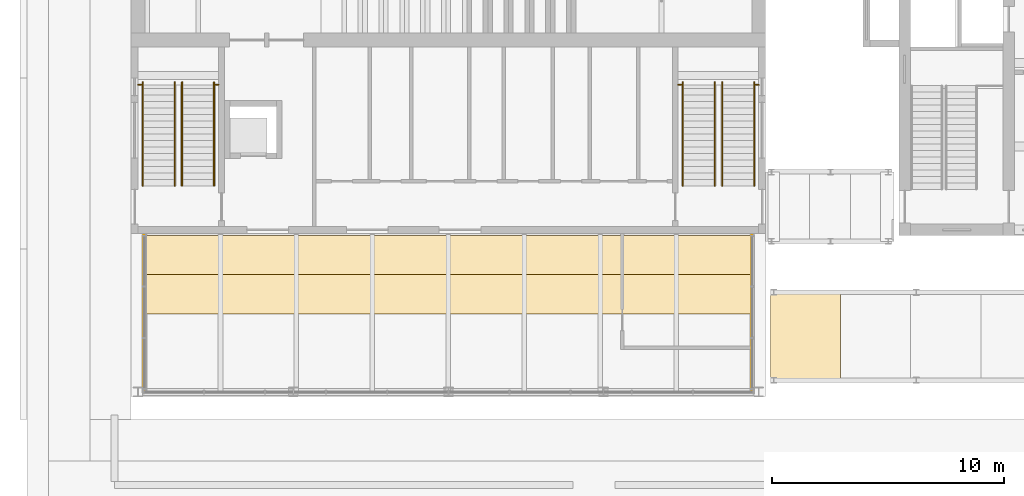
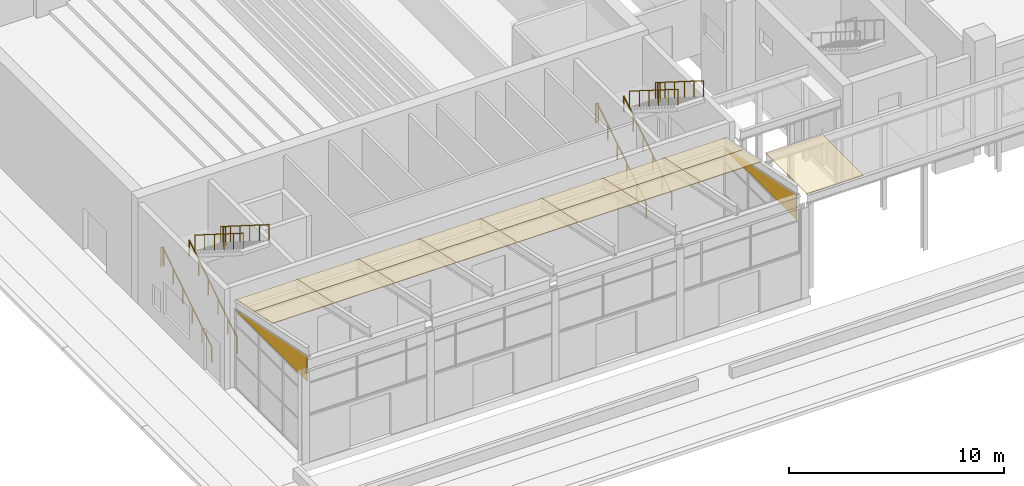
# One storey, part 65 of 71: 19 coverings, 12 railings.
"""IFC4 building model written with IfcOpenShell, lengths in metres."""

import ifcopenshell
import ifcopenshell.guid

model = None  # the IFC model being written
_history = None  # IfcOwnerHistory: only IFC2X3 demands one
_inside = {}  # id of a spatial element -> (the spatial element, [elements in it])
_under = {}  # id of a project, library or spatial element -> (it, [spatial elements below it])
_declared = {}  # id of a project -> (the project, [libraries it declares])
_typed = {}  # id of a type object -> (the type object, [elements of that type])
_made_of = {}  # id of a material, layer set ... -> (it, [elements and type objects made of it])


def new_model(schema):
    """Start an empty IFC model of exactly this schema.

    Asked for "IFC4X3", IfcOpenShell would pick the latest addendum, in which some entities
    have other attributes; the version numbers below select the first issue.
    IFC2X3 requires an IfcOwnerHistory on every rooted entity: one is made here for all.
    """
    global model, _history
    if schema == "IFC4X3":
        model = ifcopenshell.file(schema_version=(4, 3, 0, 0))
    else:
        model = ifcopenshell.file(schema=schema)
    _inside.clear()
    _under.clear()
    _declared.clear()
    _typed.clear()
    _made_of.clear()
    _history = None
    if model.schema == "IFC2X3":
        org = make("IfcOrganization", Name="unknown")
        user = make(
            "IfcPersonAndOrganization",
            ThePerson=make("IfcPerson", FamilyName="unknown"),
            TheOrganization=org,
        )
        app = make(
            "IfcApplication",
            ApplicationDeveloper=org,
            Version="unknown",
            ApplicationFullName="unknown",
            ApplicationIdentifier="unknown",
        )
        _history = make(
            "IfcOwnerHistory",
            OwningUser=user,
            OwningApplication=app,
            ChangeAction="ADDED",
            CreationDate=0,
        )
    return model


def make(cls, **values):
    """One entity of the class cls with the attributes given. An attribute that is None is left unset."""
    return model.create_entity(
        cls, **{name: value for name, value in values.items() if value is not None}
    )


def rooted(cls, **values):
    """An entity with a GlobalId (a new one), such as an element, a storey or a relation."""
    return make(cls, GlobalId=ifcopenshell.guid.new(), OwnerHistory=_history, **values)


def si_unit(unit_type, name, prefix=None):
    """IfcSIUnit, for example si_unit("LENGTHUNIT", "METRE", prefix="MILLI")."""
    return make("IfcSIUnit", UnitType=unit_type, Prefix=prefix, Name=name)


def assignment(units):
    """IfcUnitAssignment: the units of a project."""
    return None if units is None else make("IfcUnitAssignment", Units=units)


def point(xyz):
    """IfcCartesianPoint."""
    return None if xyz is None else make("IfcCartesianPoint", Coordinates=xyz)


def direction(xyz):
    """IfcDirection."""
    return None if xyz is None else make("IfcDirection", DirectionRatios=xyz)


def frame(location, z_axis=None, x_axis=None):
    """IfcAxis2Placement3D, a coordinate frame: its origin and axes. An axis left out is left unset."""
    return make(
        "IfcAxis2Placement3D",
        Location=point(location),
        Axis=direction(z_axis),
        RefDirection=direction(x_axis),
    )


def frame_2d(location, x_axis=None):
    """IfcAxis2Placement2D, a coordinate frame in the plane: its origin and x axis."""
    return make(
        "IfcAxis2Placement2D", Location=point(location), RefDirection=direction(x_axis)
    )


def origin():
    """The frame at (0, 0, 0) with its axes left unset."""
    return frame((0.0, 0.0, 0.0))


def origin_2d():
    """The frame at (0, 0) in the plane with its x axis left unset."""
    return frame_2d((0.0, 0.0))


def place(relative_to, where):
    """IfcLocalPlacement: puts the frame where relative to a parent placement (None: the world)."""
    return make(
        "IfcLocalPlacement", PlacementRelTo=relative_to, RelativePlacement=where
    )


def context(
    kind, dimensions, precision=None, world=None, true_north=None, identifier=None
):
    """IfcGeometricRepresentationContext, for example the 3D "Model" context."""
    return make(
        "IfcGeometricRepresentationContext",
        ContextIdentifier=identifier,
        ContextType=kind,
        CoordinateSpaceDimension=dimensions,
        Precision=precision,
        WorldCoordinateSystem=world,
        TrueNorth=true_north,
    )


def subcontext(parent, identifier, kind, view, scale=None):
    """IfcGeometricRepresentationSubContext, for example "Body" below "Model"."""
    return make(
        "IfcGeometricRepresentationSubContext",
        ContextIdentifier=identifier,
        ContextType=kind,
        ParentContext=parent,
        TargetScale=scale,
        TargetView=view,
    )


def project(units=None, contexts=None):
    """IfcProject with its units and contexts."""
    return rooted(
        "IfcProject",
        Name="project",
        RepresentationContexts=contexts,
        UnitsInContext=assignment(units),
    )


def spatial(cls, under=None, at=None, **own):
    """A site, building, storey or space (cls), placed at a placement, below another one or the project."""
    s = rooted(cls, ObjectPlacement=at, **own)
    if under is not None:
        _under.setdefault(under.id(), (under, []))[1].append(s)
    return s


def polyline(points):
    """IfcPolyline through the points."""
    return make("IfcPolyline", Points=[point(p) for p in points])


def profile(cls, at=None, kind="AREA", **sizes):
    """A parametric profile (cls). Its sizes go by their IFC names, for example OverallWidth=200.0."""
    return make(cls, ProfileType=kind, Position=at, **sizes)


def circle(**sizes):
    """IfcCircleProfileDef."""
    return profile("IfcCircleProfileDef", **sizes)


def outline(outer, holes=None, kind="AREA"):
    """IfcArbitraryClosedProfileDef: a profile drawn as a closed curve; with holes, ...WithVoids."""
    if holes is None:
        return make("IfcArbitraryClosedProfileDef", ProfileType=kind, OuterCurve=outer)
    return make(
        "IfcArbitraryProfileDefWithVoids",
        ProfileType=kind,
        OuterCurve=outer,
        InnerCurves=holes,
    )


def extrude(swept, where, along, depth):
    """IfcExtrudedAreaSolid: the profile swept, set in the frame where, extruded along a direction by depth."""
    return make(
        "IfcExtrudedAreaSolid",
        SweptArea=swept,
        Position=where,
        ExtrudedDirection=direction(along),
        Depth=depth,
    )


def shape(context_of_items, identifier, shape_type, items):
    """IfcShapeRepresentation: the items that make up one representation, for example the "Body"."""
    return make(
        "IfcShapeRepresentation",
        ContextOfItems=context_of_items,
        RepresentationIdentifier=identifier,
        RepresentationType=shape_type,
        Items=items,
    )


def material(Name=None, Category=None):
    """IfcMaterial."""
    return make("IfcMaterial", Name=Name, Category=Category)


def layer(
    of_material, thickness, ventilated=None, Name=None, Category=None, Priority=None
):
    """IfcMaterialLayer: one layer of a wall or slab, of a material (None: an air gap)."""
    return make(
        "IfcMaterialLayer",
        Material=of_material,
        LayerThickness=thickness,
        IsVentilated=ventilated,
        Name=Name,
        Category=Category,
        Priority=Priority,
    )


def layer_set(layers, Name=None):
    """IfcMaterialLayerSet."""
    return make("IfcMaterialLayerSet", MaterialLayers=layers, LayerSetName=Name)


def made_of(thing, what):
    """Note that an element or type object is made of a material, layer set ...; save() writes the relation."""
    if what is not None:
        _made_of.setdefault(what.id(), (what, []))[1].append(thing)
    return thing


def type_object(cls, material=None, **own):
    """A type object (cls), such as IfcWallType, which elements share."""
    return made_of(rooted(cls, **own), material)


def element(
    cls,
    number,
    at=None,
    inside=None,
    cuts=None,
    type_object=None,
    material=None,
    context=None,
    identifier="Body",
    shape_type=None,
    held_by="IfcProductDefinitionShape",
    body=None,
    shapes=None,
    **own,
):
    """One element of the class cls, such as IfcWall. Its Tag is "e" and its number.

    at: its placement. inside: the storey or other place that contains it. cuts: it is an
    opening in that element (IfcRelVoidsElement). A single representation is given by context,
    identifier, shape_type and body (its items); several are given by shapes. held_by: the class
    of the entity that holds the representations. save() writes the other relations.
    """
    e = rooted(cls, Tag="e%d" % number, ObjectPlacement=at, **own)
    if body is not None:
        shapes = [shape(context, identifier, shape_type, body)]
    if shapes is not None:
        e.Representation = make(held_by, Representations=shapes)
    if inside is not None:
        _inside.setdefault(inside.id(), (inside, []))[1].append(e)
    if cuts is not None:
        rooted(
            "IfcRelVoidsElement", RelatingBuildingElement=cuts, RelatedOpeningElement=e
        )
    if type_object is not None:
        _typed.setdefault(type_object.id(), (type_object, []))[1].append(e)
    return made_of(e, material)


def aggregate(whole, parts):
    """IfcRelAggregates: a whole, such as a stair, and the parts it consists of."""
    return rooted("IfcRelAggregates", RelatingObject=whole, RelatedObjects=parts)


def save(model, path):
    """Write the relations noted so far, then the file.

    IfcRelAggregates (storeys below a building ...), IfcRelContainedInSpatialStructure (elements
    in a storey), IfcRelDefinesByType, IfcRelAssociatesMaterial and IfcRelDeclares: one each for
    every whole, place, type object, material and project.
    """
    for whole, parts in _under.values():
        aggregate(whole, parts)
    for where, things in _inside.values():
        rooted(
            "IfcRelContainedInSpatialStructure",
            RelatedElements=things,
            RelatingStructure=where,
        )
    for kind, things in _typed.values():
        rooted("IfcRelDefinesByType", RelatedObjects=things, RelatingType=kind)
    for what, things in _made_of.values():
        rooted("IfcRelAssociatesMaterial", RelatedObjects=things, RelatingMaterial=what)
    for by, libraries in _declared.values():
        rooted("IfcRelDeclares", RelatingContext=by, RelatedDefinitions=libraries)
    model.write(path)


model = new_model("IFC4")

# Units and contexts
model_context = context("Model", 3, precision=1e-05, world=origin(), true_north=direction((0.0, 1.0)))
body_context = subcontext(model_context, "Body", "Model", "MODEL_VIEW")
ifc_project = project(units=[si_unit("LENGTHUNIT", "METRE"), si_unit("AREAUNIT", "SQUARE_METRE"), si_unit("VOLUMEUNIT", "CUBIC_METRE"), si_unit("PLANEANGLEUNIT", "RADIAN"), si_unit("MASSUNIT", "GRAM", prefix="KILO")], contexts=[model_context])

# Site, building, storey
site_placement = place(None, origin())
site = spatial("IfcSite", under=ifc_project, at=site_placement, CompositionType="ELEMENT")
building_placement = place(site_placement, origin())
building = spatial("IfcBuilding", under=site, at=building_placement, Name="Basin Gate Institute", CompositionType="ELEMENT")
storey_placement = place(building_placement, origin())
storey = spatial("IfcBuildingStorey", under=building, at=storey_placement, Name="L00", CompositionType="ELEMENT", Elevation=0.0)

# Railings
ifc_material_1 = material(Name="Stainless steel tube and glass infill", Category="steel")
railing_type_1 = type_object("IfcRailingType", Name="Block railing 1100", PredefinedType="GUARDRAIL", material=ifc_material_1)
for number, where, name in (
    (1, (28.10009765625, 41.360107421875, 3.0), "Guard stair landing ST-T1 L00"),
    (2, (31.4375, 41.360107421875, 3.0), "Guard stair landing ST-T1 L00"),
    (3, (51.425048828125, 41.360107421875, 3.0), "Guard stair landing ST-T3 L00"),
    (4, (54.762451171875, 41.360107421875, 3.0), "Guard stair landing ST-T3 L00"),
):
    element("IfcRailing", number, at=place(storey_placement, frame(where)), inside=storey, type_object=railing_type_1, material=ifc_material_1, Name=name, PredefinedType="GUARDRAIL", context=body_context, shape_type="SweptSolid", body=[
        extrude(circle(Radius=0.02392578125, at=origin_2d()), frame((0.0, 0.0, 1.076171875), z_axis=(1.0, 0.0, 0.0), x_axis=(0.0, 1.0, 0.0)), (0.0, 0.0, 1.0), 0.137451171875),
        extrude(circle(Radius=0.02099609375, at=origin_2d()), origin(), (0.0, 0.0, 1.0), 1.052001953125),
        extrude(circle(Radius=0.02099609375, at=origin_2d()), frame((0.137451171875, 0.0, 0.0)), (0.0, 0.0, 1.0), 1.052001953125),
    ])
ifc_material_2 = material(Name="Stainless steel tube and glass infill", Category="steel")
railing_type_2 = type_object("IfcRailingType", Name="Block railing 920", PredefinedType="HANDRAIL", material=ifc_material_2)
for number, where, name in (
    (5, (28.297607421875, 37.0, 0.176513671875), "Handrail ST-T1 flight 1"),
    (6, (29.677490234375, 37.0, 0.176513671875), "Handrail ST-T1 flight 1"),
):
    element("IfcRailing", number, at=place(storey_placement, frame(where)), inside=storey, type_object=railing_type_2, material=ifc_material_2, Name=name, PredefinedType="HANDRAIL", context=body_context, shape_type="SweptSolid", body=[
        extrude(circle(Radius=0.02392578125, at=origin_2d()), frame((0.0, 0.0, 0.89599609375), z_axis=(0.0, 0.845997938375, 0.533186166611), x_axis=(-1.0, 0.0, 0.0)), (0.0, 0.0, 1.0), 5.29541015625),
        extrude(circle(Radius=0.02099609375, at=origin_2d()), origin(), (0.0, 0.0, 1.0), 0.871826171875),
        extrude(circle(Radius=0.02099609375, at=origin_2d()), frame((0.0, 0.89599609375, 0.564697265625)), (0.0, 0.0, 1.0), 0.871826171875),
        extrude(circle(Radius=0.02099609375, at=origin_2d()), frame((0.0, 1.7919921875, 1.12939453125)), (0.0, 0.0, 1.0), 0.871826171875),
        extrude(circle(Radius=0.02099609375, at=origin_2d()), frame((0.0, 2.68798828125, 1.694091796875)), (0.0, 0.0, 1.0), 0.871826171875),
        extrude(circle(Radius=0.02099609375, at=origin_2d()), frame((0.0, 3.583984375, 2.2587890625)), (0.0, 0.0, 1.0), 0.871826171875),
        extrude(circle(Radius=0.02099609375, at=origin_2d()), frame((0.0, 4.47998046875, 2.823486328125)), (0.0, 0.0, 1.0), 0.871826171875),
    ])
for number, where, name in (
    (7, (29.99755859375, 41.47998046875, 3.176513671875), "Handrail ST-T1 flight 2"),
    (8, (31.37744140625, 41.47998046875, 3.176513671875), "Handrail ST-T1 flight 2"),
):
    element("IfcRailing", number, at=place(storey_placement, frame(where)), inside=storey, type_object=railing_type_2, material=ifc_material_2, Name=name, PredefinedType="HANDRAIL", context=body_context, shape_type="SweptSolid", body=[
        extrude(circle(Radius=0.02392578125, at=origin_2d()), frame((0.0, 0.0, 0.89599609375), z_axis=(0.0, -0.845997938375, 0.533186166611), x_axis=(1.0, 0.0, 0.0)), (0.0, 0.0, 1.0), 5.29541015625),
        extrude(circle(Radius=0.02099609375, at=origin_2d()), origin(), (0.0, 0.0, 1.0), 0.871826171875),
        extrude(circle(Radius=0.02099609375, at=origin_2d()), frame((0.0, -0.89599609375, 0.564697265625)), (0.0, 0.0, 1.0), 0.871826171875),
        extrude(circle(Radius=0.02099609375, at=origin_2d()), frame((0.0, -1.7919921875, 1.12939453125)), (0.0, 0.0, 1.0), 0.871826171875),
        extrude(circle(Radius=0.02099609375, at=origin_2d()), frame((0.0, -2.68798828125, 1.694091796875)), (0.0, 0.0, 1.0), 0.871826171875),
        extrude(circle(Radius=0.02099609375, at=origin_2d()), frame((0.0, -3.583984375, 2.2587890625)), (0.0, 0.0, 1.0), 0.871826171875),
        extrude(circle(Radius=0.02099609375, at=origin_2d()), frame((0.0, -4.47998046875, 2.823486328125)), (0.0, 0.0, 1.0), 0.871826171875),
    ])
for number, where, name in (
    (9, (51.62255859375, 37.0, 0.176513671875), "Handrail ST-T3 flight 1"),
    (10, (53.00244140625, 37.0, 0.176513671875), "Handrail ST-T3 flight 1"),
):
    element("IfcRailing", number, at=place(storey_placement, frame(where)), inside=storey, type_object=railing_type_2, material=ifc_material_2, Name=name, PredefinedType="HANDRAIL", context=body_context, shape_type="SweptSolid", body=[
        extrude(circle(Radius=0.02392578125, at=origin_2d()), frame((0.0, 0.0, 0.89599609375), z_axis=(0.0, 0.845997938375, 0.533186166611), x_axis=(-1.0, 0.0, 0.0)), (0.0, 0.0, 1.0), 5.29541015625),
        extrude(circle(Radius=0.02099609375, at=origin_2d()), origin(), (0.0, 0.0, 1.0), 0.871826171875),
        extrude(circle(Radius=0.02099609375, at=origin_2d()), frame((0.0, 0.89599609375, 0.564697265625)), (0.0, 0.0, 1.0), 0.871826171875),
        extrude(circle(Radius=0.02099609375, at=origin_2d()), frame((0.0, 1.7919921875, 1.12939453125)), (0.0, 0.0, 1.0), 0.871826171875),
        extrude(circle(Radius=0.02099609375, at=origin_2d()), frame((0.0, 2.68798828125, 1.694091796875)), (0.0, 0.0, 1.0), 0.871826171875),
        extrude(circle(Radius=0.02099609375, at=origin_2d()), frame((0.0, 3.583984375, 2.2587890625)), (0.0, 0.0, 1.0), 0.871826171875),
        extrude(circle(Radius=0.02099609375, at=origin_2d()), frame((0.0, 4.47998046875, 2.823486328125)), (0.0, 0.0, 1.0), 0.871826171875),
    ])
for number, where, name in (
    (11, (53.322509765625, 41.47998046875, 3.176513671875), "Handrail ST-T3 flight 2"),
    (12, (54.702392578125, 41.47998046875, 3.176513671875), "Handrail ST-T3 flight 2"),
):
    element("IfcRailing", number, at=place(storey_placement, frame(where)), inside=storey, type_object=railing_type_2, material=ifc_material_2, Name=name, PredefinedType="HANDRAIL", context=body_context, shape_type="SweptSolid", body=[
        extrude(circle(Radius=0.02392578125, at=origin_2d()), frame((0.0, 0.0, 0.89599609375), z_axis=(0.0, -0.845997938375, 0.533186166611), x_axis=(1.0, 0.0, 0.0)), (0.0, 0.0, 1.0), 5.29541015625),
        extrude(circle(Radius=0.02099609375, at=origin_2d()), origin(), (0.0, 0.0, 1.0), 0.871826171875),
        extrude(circle(Radius=0.02099609375, at=origin_2d()), frame((0.0, -0.89599609375, 0.564697265625)), (0.0, 0.0, 1.0), 0.871826171875),
        extrude(circle(Radius=0.02099609375, at=origin_2d()), frame((0.0, -1.7919921875, 1.12939453125)), (0.0, 0.0, 1.0), 0.871826171875),
        extrude(circle(Radius=0.02099609375, at=origin_2d()), frame((0.0, -2.68798828125, 1.694091796875)), (0.0, 0.0, 1.0), 0.871826171875),
        extrude(circle(Radius=0.02099609375, at=origin_2d()), frame((0.0, -3.583984375, 2.2587890625)), (0.0, 0.0, 1.0), 0.871826171875),
        extrude(circle(Radius=0.02099609375, at=origin_2d()), frame((0.0, -4.47998046875, 2.823486328125)), (0.0, 0.0, 1.0), 0.871826171875),
    ])

# Coverings
ifc_material_3 = material(Name="Laminated toughened glass", Category="glass")
ifc_layer_1 = layer(ifc_material_3, 0.030029296875)
ifc_layer_set_1 = layer_set([ifc_layer_1], Name="Canopy glazing panel PN91")
covering_type_1 = type_object("IfcCoveringType", Name="Canopy glazing panel PN91", PredefinedType="ROOFING", material=ifc_layer_set_1)
covering_1_placement = place(storey_placement, frame((55.39990234375, 28.60009765625, 5.330078125), z_axis=(0.0, 0.0, 1.0), x_axis=(1.0, 0.0, 0.0)))
element("IfcCovering", 13, at=covering_1_placement, inside=storey, type_object=covering_type_1, material=ifc_layer_set_1, Name="Forecourt canopy glazing panel 1", PredefinedType="ROOFING", context=body_context, shape_type="SweptSolid", body=[
    extrude(outline(polyline([(0.0, 0.0), (3.03125, 0.0), (3.03125, 3.7998046875), (0.0, 3.7998046875), (0.0, 0.0)])), origin(), (0.0, 0.0, -1.0), 0.030029296875),
])
ifc_material_4 = material(Name="Laminated toughened glass", Category="glass")
ifc_layer_2 = layer(ifc_material_4, 0.030029296875)
ifc_layer_set_2 = layer_set([ifc_layer_2], Name="Foyer gable glazing panel PN87")
covering_type_2 = type_object("IfcCoveringType", Name="Foyer gable glazing panel PN87", PredefinedType="ROOFING", material=ifc_layer_set_2)
for number, where, z_axis, x_axis, name in (
    (14, (28.375, 28.199951171875, 4.39990234375), (1.0, 0.0, 0.0), (0.0, 1.0, 0.0), "Foyer gable glazing panel W"),
    (15, (54.625, 28.199951171875, 4.39990234375), (1.0, 0.0, 0.0), (0.0, 1.0, 0.0), "Foyer gable glazing panel E"),
):
    element("IfcCovering", number, at=place(storey_placement, frame(where, z_axis=z_axis, x_axis=x_axis)), inside=storey, type_object=covering_type_2, material=ifc_layer_set_2, Name=name, PredefinedType="ROOFING", context=body_context, shape_type="SweptSolid", body=[
        extrude(outline(polyline([(0.0, 0.0), (6.675048828125, 0.0), (6.675048828125, 0.0537109375), (0.0, 1.43798828125), (0.0, 0.0)])), origin(), (0.0, 0.0, -1.0), 0.030029296875),
    ])
ifc_material_5 = material(Name="Laminated toughened glass", Category="glass")
ifc_layer_3 = layer(ifc_material_5, 0.030029296875)
ifc_layer_set_3 = layer_set([ifc_layer_3], Name="Foyer roof glazing panel PN86")
covering_type_3 = type_object("IfcCoveringType", Name="Foyer roof glazing panel PN86", PredefinedType="ROOFING", material=ifc_layer_set_3)
covering_2_placement = place(storey_placement, frame((28.375, 31.47509765625, 5.699951171875), z_axis=(0.0, 0.203003763425, 0.979177957286), x_axis=(1.0, 0.0, 0.0)))
element("IfcCovering", 16, at=covering_2_placement, inside=storey, type_object=covering_type_3, material=ifc_layer_set_3, Name="Foyer roof glazing panel 1-3", PredefinedType="ROOFING", context=body_context, shape_type="SweptSolid", body=[
    extrude(outline(polyline([(0.0, 0.0), (3.28125, 0.0), (3.28125, 1.7233843832399005), (0.0, 1.7233843832399005), (0.0, 0.0)])), origin(), (0.0, 0.0, -1.0), 0.030029296875),
])
covering_3_placement = place(storey_placement, frame((28.375, 33.16259765625, 5.35009765625), z_axis=(0.0, 0.203139583015, 0.979149789262), x_axis=(1.0, 0.0, 0.0)))
element("IfcCovering", 17, at=covering_3_placement, inside=storey, type_object=covering_type_3, material=ifc_layer_set_3, Name="Foyer roof glazing panel 1-4", PredefinedType="ROOFING", context=body_context, shape_type="SweptSolid", body=[
    extrude(outline(polyline([(0.0, 0.0), (3.28125, 0.0), (3.28125, 1.7234339612853586), (0.0, 1.7234339612853586), (0.0, 0.0)])), origin(), (0.0, 0.0, -1.0), 0.030029296875),
])
covering_4_placement = place(storey_placement, frame((31.65625, 31.47509765625, 5.699951171875), z_axis=(0.0, 0.203003763425, 0.979177957286), x_axis=(1.0, 0.0, 0.0)))
element("IfcCovering", 18, at=covering_4_placement, inside=storey, type_object=covering_type_3, material=ifc_layer_set_3, Name="Foyer roof glazing panel 2-3", PredefinedType="ROOFING", context=body_context, shape_type="SweptSolid", body=[
    extrude(outline(polyline([(0.0, 0.0), (3.28125, 0.0), (3.28125, 1.7233843832399005), (0.0, 1.7233843832399005), (0.0, 0.0)])), origin(), (0.0, 0.0, -1.0), 0.030029296875),
])
covering_5_placement = place(storey_placement, frame((31.65625, 33.16259765625, 5.35009765625), z_axis=(0.0, 0.203139583015, 0.979149789262), x_axis=(1.0, 0.0, 0.0)))
element("IfcCovering", 19, at=covering_5_placement, inside=storey, type_object=covering_type_3, material=ifc_layer_set_3, Name="Foyer roof glazing panel 2-4", PredefinedType="ROOFING", context=body_context, shape_type="SweptSolid", body=[
    extrude(outline(polyline([(0.0, 0.0), (3.28125, 0.0), (3.28125, 1.7234339612853586), (0.0, 1.7234339612853586), (0.0, 0.0)])), origin(), (0.0, 0.0, -1.0), 0.030029296875),
])
covering_6_placement = place(storey_placement, frame((34.9375, 31.47509765625, 5.699951171875), z_axis=(0.0, 0.203003763425, 0.979177957286), x_axis=(1.0, 0.0, 0.0)))
element("IfcCovering", 20, at=covering_6_placement, inside=storey, type_object=covering_type_3, material=ifc_layer_set_3, Name="Foyer roof glazing panel 3-3", PredefinedType="ROOFING", context=body_context, shape_type="SweptSolid", body=[
    extrude(outline(polyline([(0.0, 0.0), (3.28125, 0.0), (3.28125, 1.7233843832399005), (0.0, 1.7233843832399005), (0.0, 0.0)])), origin(), (0.0, 0.0, -1.0), 0.030029296875),
])
covering_7_placement = place(storey_placement, frame((34.9375, 33.16259765625, 5.35009765625), z_axis=(0.0, 0.203139583015, 0.979149789262), x_axis=(1.0, 0.0, 0.0)))
element("IfcCovering", 21, at=covering_7_placement, inside=storey, type_object=covering_type_3, material=ifc_layer_set_3, Name="Foyer roof glazing panel 3-4", PredefinedType="ROOFING", context=body_context, shape_type="SweptSolid", body=[
    extrude(outline(polyline([(0.0, 0.0), (3.28125, 0.0), (3.28125, 1.7234339612853586), (0.0, 1.7234339612853586), (0.0, 0.0)])), origin(), (0.0, 0.0, -1.0), 0.030029296875),
])
covering_8_placement = place(storey_placement, frame((38.21875, 31.47509765625, 5.699951171875), z_axis=(0.0, 0.203003763425, 0.979177957286), x_axis=(1.0, 0.0, 0.0)))
element("IfcCovering", 22, at=covering_8_placement, inside=storey, type_object=covering_type_3, material=ifc_layer_set_3, Name="Foyer roof glazing panel 4-3", PredefinedType="ROOFING", context=body_context, shape_type="SweptSolid", body=[
    extrude(outline(polyline([(0.0, 0.0), (3.28125, 0.0), (3.28125, 1.7233843832399005), (0.0, 1.7233843832399005), (0.0, 0.0)])), origin(), (0.0, 0.0, -1.0), 0.030029296875),
])
covering_9_placement = place(storey_placement, frame((38.21875, 33.16259765625, 5.35009765625), z_axis=(0.0, 0.203139583015, 0.979149789262), x_axis=(1.0, 0.0, 0.0)))
element("IfcCovering", 23, at=covering_9_placement, inside=storey, type_object=covering_type_3, material=ifc_layer_set_3, Name="Foyer roof glazing panel 4-4", PredefinedType="ROOFING", context=body_context, shape_type="SweptSolid", body=[
    extrude(outline(polyline([(0.0, 0.0), (3.28125, 0.0), (3.28125, 1.7234339612853586), (0.0, 1.7234339612853586), (0.0, 0.0)])), origin(), (0.0, 0.0, -1.0), 0.030029296875),
])
covering_10_placement = place(storey_placement, frame((41.5, 31.47509765625, 5.699951171875), z_axis=(0.0, 0.203003763425, 0.979177957286), x_axis=(1.0, 0.0, 0.0)))
element("IfcCovering", 24, at=covering_10_placement, inside=storey, type_object=covering_type_3, material=ifc_layer_set_3, Name="Foyer roof glazing panel 5-3", PredefinedType="ROOFING", context=body_context, shape_type="SweptSolid", body=[
    extrude(outline(polyline([(0.0, 0.0), (3.28125, 0.0), (3.28125, 1.7233843832399005), (0.0, 1.7233843832399005), (0.0, 0.0)])), origin(), (0.0, 0.0, -1.0), 0.030029296875),
])
covering_11_placement = place(storey_placement, frame((41.5, 33.16259765625, 5.35009765625), z_axis=(0.0, 0.203139583015, 0.979149789262), x_axis=(1.0, 0.0, 0.0)))
element("IfcCovering", 25, at=covering_11_placement, inside=storey, type_object=covering_type_3, material=ifc_layer_set_3, Name="Foyer roof glazing panel 5-4", PredefinedType="ROOFING", context=body_context, shape_type="SweptSolid", body=[
    extrude(outline(polyline([(0.0, 0.0), (3.28125, 0.0), (3.28125, 1.7234339612853586), (0.0, 1.7234339612853586), (0.0, 0.0)])), origin(), (0.0, 0.0, -1.0), 0.030029296875),
])
covering_12_placement = place(storey_placement, frame((44.78125, 31.47509765625, 5.699951171875), z_axis=(0.0, 0.203003763425, 0.979177957286), x_axis=(1.0, 0.0, 0.0)))
element("IfcCovering", 26, at=covering_12_placement, inside=storey, type_object=covering_type_3, material=ifc_layer_set_3, Name="Foyer roof glazing panel 6-3", PredefinedType="ROOFING", context=body_context, shape_type="SweptSolid", body=[
    extrude(outline(polyline([(0.0, 0.0), (3.28125, 0.0), (3.28125, 1.7233843832399005), (0.0, 1.7233843832399005), (0.0, 0.0)])), origin(), (0.0, 0.0, -1.0), 0.030029296875),
])
covering_13_placement = place(storey_placement, frame((44.78125, 33.16259765625, 5.35009765625), z_axis=(0.0, 0.203139583015, 0.979149789262), x_axis=(1.0, 0.0, 0.0)))
element("IfcCovering", 27, at=covering_13_placement, inside=storey, type_object=covering_type_3, material=ifc_layer_set_3, Name="Foyer roof glazing panel 6-4", PredefinedType="ROOFING", context=body_context, shape_type="SweptSolid", body=[
    extrude(outline(polyline([(0.0, 0.0), (3.28125, 0.0), (3.28125, 1.7234339612853586), (0.0, 1.7234339612853586), (0.0, 0.0)])), origin(), (0.0, 0.0, -1.0), 0.030029296875),
])
covering_14_placement = place(storey_placement, frame((48.0625, 31.47509765625, 5.699951171875), z_axis=(0.0, 0.203003763425, 0.979177957286), x_axis=(1.0, 0.0, 0.0)))
element("IfcCovering", 28, at=covering_14_placement, inside=storey, type_object=covering_type_3, material=ifc_layer_set_3, Name="Foyer roof glazing panel 7-3", PredefinedType="ROOFING", context=body_context, shape_type="SweptSolid", body=[
    extrude(outline(polyline([(0.0, 0.0), (3.28125, 0.0), (3.28125, 1.7233843832399005), (0.0, 1.7233843832399005), (0.0, 0.0)])), origin(), (0.0, 0.0, -1.0), 0.030029296875),
])
covering_15_placement = place(storey_placement, frame((48.0625, 33.16259765625, 5.35009765625), z_axis=(0.0, 0.203139583015, 0.979149789262), x_axis=(1.0, 0.0, 0.0)))
element("IfcCovering", 29, at=covering_15_placement, inside=storey, type_object=covering_type_3, material=ifc_layer_set_3, Name="Foyer roof glazing panel 7-4", PredefinedType="ROOFING", context=body_context, shape_type="SweptSolid", body=[
    extrude(outline(polyline([(0.0, 0.0), (3.28125, 0.0), (3.28125, 1.7234339612853586), (0.0, 1.7234339612853586), (0.0, 0.0)])), origin(), (0.0, 0.0, -1.0), 0.030029296875),
])
covering_16_placement = place(storey_placement, frame((51.34375, 31.47509765625, 5.699951171875), z_axis=(0.0, 0.203003763425, 0.979177957286), x_axis=(1.0, 0.0, 0.0)))
element("IfcCovering", 30, at=covering_16_placement, inside=storey, type_object=covering_type_3, material=ifc_layer_set_3, Name="Foyer roof glazing panel 8-3", PredefinedType="ROOFING", context=body_context, shape_type="SweptSolid", body=[
    extrude(outline(polyline([(0.0, 0.0), (3.28125, 0.0), (3.28125, 1.7233843832399005), (0.0, 1.7233843832399005), (0.0, 0.0)])), origin(), (0.0, 0.0, -1.0), 0.030029296875),
])
covering_17_placement = place(storey_placement, frame((51.34375, 33.16259765625, 5.35009765625), z_axis=(0.0, 0.203139583015, 0.979149789262), x_axis=(1.0, 0.0, 0.0)))
element("IfcCovering", 31, at=covering_17_placement, inside=storey, type_object=covering_type_3, material=ifc_layer_set_3, Name="Foyer roof glazing panel 8-4", PredefinedType="ROOFING", context=body_context, shape_type="SweptSolid", body=[
    extrude(outline(polyline([(0.0, 0.0), (3.28125, 0.0), (3.28125, 1.7234339612853586), (0.0, 1.7234339612853586), (0.0, 0.0)])), origin(), (0.0, 0.0, -1.0), 0.030029296875),
])

save(model, "model.ifc")
